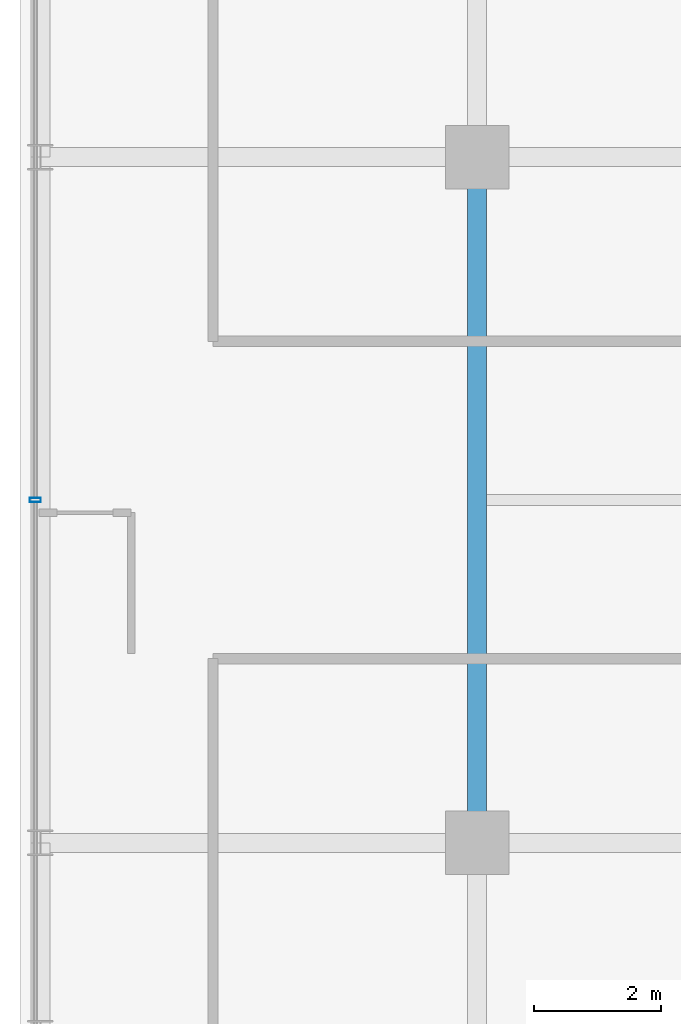
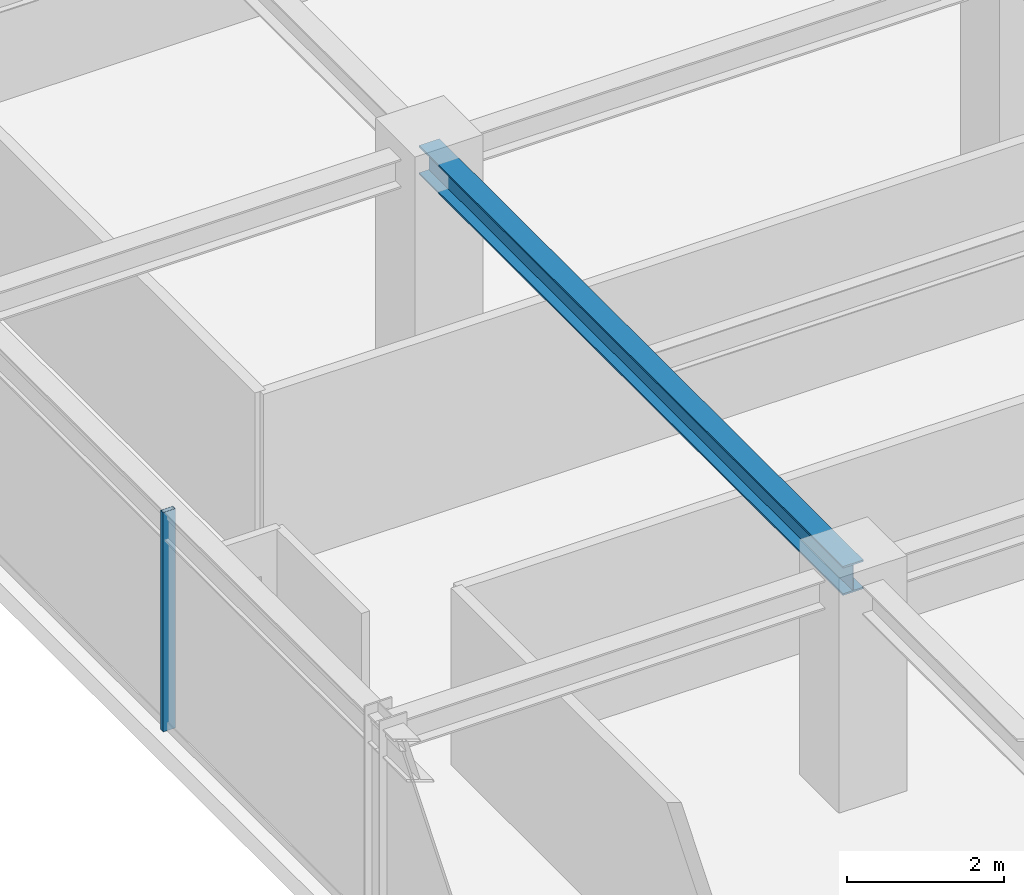
# One storey, part 10 of 36: 1 beam, 1 member, 1 element without a shape of its own.
"""IFC4 building model written with IfcOpenShell, lengths in metres."""

from ifc_helpers import new_model, si_unit, direction, frame, origin, origin_2d, place, context, subcontext, project, spatial, hollow_rectangle, i_section, extrude, source, transform, mapped, material, material_profile, profile_set, type_object, element, aggregate, save


model = new_model("IFC4")

# Units and contexts
model_context = context("Model", 3, precision=1e-05, world=origin(), true_north=direction((0.0, 1.0)))
body_context = subcontext(model_context, "Body", "Model", "MODEL_VIEW")
ifc_project = project(units=[si_unit("LENGTHUNIT", "METRE"), si_unit("AREAUNIT", "SQUARE_METRE"), si_unit("VOLUMEUNIT", "CUBIC_METRE"), si_unit("PLANEANGLEUNIT", "RADIAN"), si_unit("MASSUNIT", "GRAM", prefix="KILO")], contexts=[model_context])

# Site, building, storey
site_placement = place(None, origin())
site = spatial("IfcSite", under=ifc_project, at=site_placement, CompositionType="ELEMENT")
building_placement = place(site_placement, origin())
building = spatial("IfcBuilding", under=site, at=building_placement, Name="Nahalor Promenade Grand Hotel", CompositionType="ELEMENT")
storey_placement = place(building_placement, frame((0.0, 0.0, 253.0)))
storey = spatial("IfcBuildingStorey", under=building, at=storey_placement, Name="L65", CompositionType="ELEMENT", Elevation=253.0)

# Beam
ifc_material_1 = material(Name="Steel S355JR", Category="steel")
ifc_material_profile_1 = material_profile(ifc_material_1, i_section(OverallWidth=0.3, OverallDepth=0.45, WebThickness=0.014, FlangeThickness=0.026, at=origin_2d()), Name="HEB 450")
ifc_profile_set_1 = profile_set([ifc_material_profile_1], Name="Steel S355JR")
beam_type = type_object("IfcBeamType", Name="Beam-Girder-HEB450", PredefinedType="BEAM", material=ifc_profile_set_1)
shared_shape_1 = source(origin(), body_context, "Body", "SweptSolid", [
    extrude(i_section(OverallWidth=0.3, OverallDepth=0.45, WebThickness=0.014, FlangeThickness=0.026, at=origin_2d()), origin(), (0.0, 0.0, 1.0), 10.7998046875),
])
beam_placement = place(storey_placement, frame((-17.0, -5.39990234375, 3.18505859375), z_axis=(0.0, 1.0, 0.0), x_axis=(-1.0, 0.0, 0.0)))
element("IfcBeam", 1, at=beam_placement, inside=storey, type_object=beam_type, Name="BM-L65-GY-0-2", PredefinedType="BEAM", context=body_context, shape_type="MappedRepresentation", body=[
    mapped(shared_shape_1, transform((0.0, 0.0, 0.0), scale=1.0)),
])

# Curtain wall, member
ifc_material_2 = material(Name="Anodised Bronze Aluminium EN AW-6063 T6", Category="aluminium")
curtain_wall_type = type_object("IfcCurtainWallType", Name="CW2 Typical Hotel Flush Bronze Unitised Curtain Wall", PredefinedType="USERDEFINED", material=ifc_material_2)
curtain_wall_placement = place(storey_placement, origin())
curtain_wall = element("IfcCurtainWall", 2, at=curtain_wall_placement, inside=storey, type_object=curtain_wall_type, Name="L65 Curtain Wall CW-L65-W-1", ObjectType="UNITISED_CURTAIN_WALL", PredefinedType="USERDEFINED")
ifc_material_profile_2 = material_profile(ifc_material_2, hollow_rectangle(XDim=0.065, YDim=0.18, WallThickness=0.004, at=origin_2d()), Name="CWM 65x180x4")
ifc_profile_set_2 = profile_set([ifc_material_profile_2], Name="Anodised Bronze Aluminium EN AW-6063 T6")
member_type = type_object("IfcMemberType", Name="CWM2 Typical Bronze Mullion 65x180", PredefinedType="MULLION", material=ifc_profile_set_2)
shared_shape_2 = source(origin(), body_context, "Body", "SweptSolid", [
    extrude(hollow_rectangle(XDim=0.065, YDim=0.18, WallThickness=0.004, at=origin_2d()), origin(), (0.0, 0.0, 1.0), 3.409912109375),
])
member_placement = place(storey_placement, frame((-23.9599609375, 0.0, 0.0), z_axis=(0.0, 0.0, 1.0), x_axis=(0.0, 1.0, 0.0)))
member = element("IfcMember", 3, at=member_placement, type_object=member_type, Name="CW-L65-W-1 Mullion 2", PredefinedType="MULLION", context=body_context, shape_type="MappedRepresentation", body=[
    mapped(shared_shape_2, transform((0.0, 0.0, 0.0), scale=1.0)),
])
aggregate(curtain_wall, [member])

save(model, "model.ifc")
